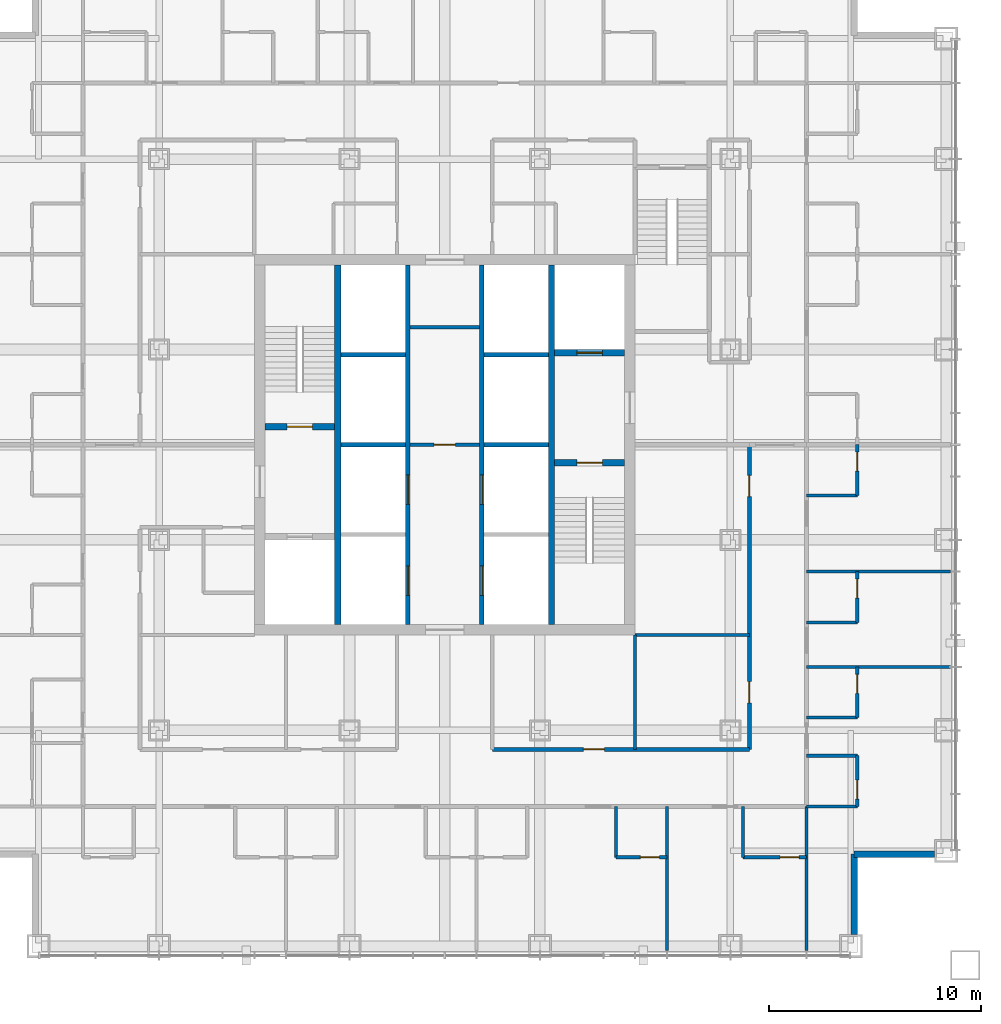
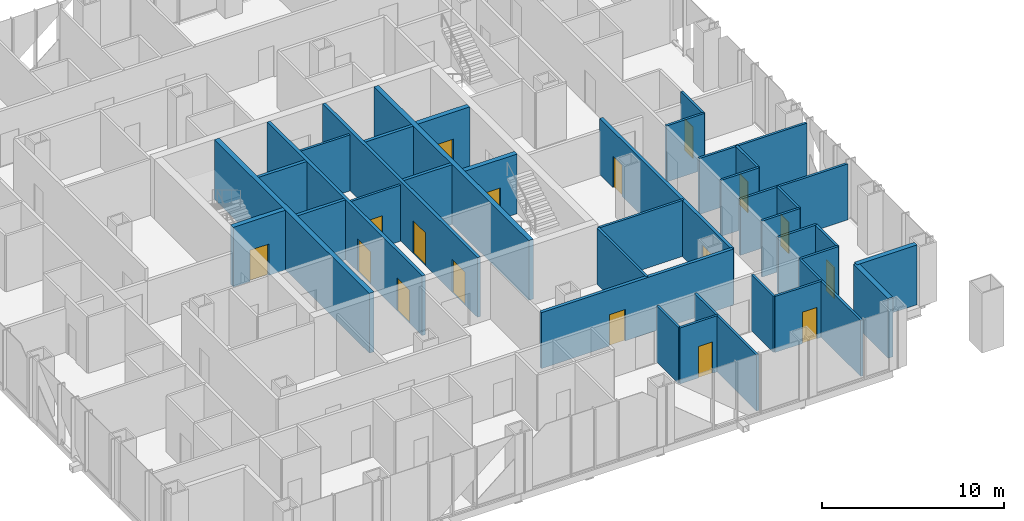
# One storey, part 10 of 18: 36 walls, 17 doors, 17 openings.
"""IFC4 building model written with IfcOpenShell, lengths in metres."""

from ifc_helpers import new_model, si_unit, direction, frame, frame_2d, origin, place, context, subcontext, project, spatial, rectangle, extrude, material, layer, layer_set, type_object, element, fill, save


model = new_model("IFC4")

# Units and contexts
model_context = context("Model", 3, precision=1e-05, world=origin(), true_north=direction((0.0, 1.0)))
body_context = subcontext(model_context, "Body", "Model", "MODEL_VIEW")
ifc_project = project(units=[si_unit("LENGTHUNIT", "METRE"), si_unit("AREAUNIT", "SQUARE_METRE"), si_unit("VOLUMEUNIT", "CUBIC_METRE"), si_unit("PLANEANGLEUNIT", "RADIAN"), si_unit("MASSUNIT", "GRAM", prefix="KILO")], contexts=[model_context])

# Site, building, storey
site_placement = place(None, origin())
site = spatial("IfcSite", under=ifc_project, at=site_placement, CompositionType="ELEMENT")
building_placement = place(site_placement, origin())
building = spatial("IfcBuilding", under=site, at=building_placement, Name="Malebo Sky Hospital", CompositionType="ELEMENT")
storey_placement = place(building_placement, frame((0.0, 0.0, 112.0)))
storey = spatial("IfcBuildingStorey", under=building, at=storey_placement, Name="L26", CompositionType="ELEMENT", Elevation=112.0)

# Wall, openings, doors
ifc_material_1 = material(Name="Concrete C80/95", Category="concrete")
ifc_layer_1 = layer(ifc_material_1, 0.199951171875)
ifc_layer_set_1 = layer_set([ifc_layer_1], Name="CORE INNER WALL 200")
wall_type_1 = type_object("IfcWallType", Name="CORE INNER WALL 200", PredefinedType="SHEAR", material=ifc_layer_set_1)
wall_1_placement = place(storey_placement, frame((58.25, 53.5, 0.0), z_axis=(0.0, 0.0, 1.0), x_axis=(0.0, 1.0, 0.0)))
wall_1 = element("IfcWall", 1, at=wall_1_placement, inside=storey, type_object=wall_type_1, Name="Core wall LW L26", PredefinedType="SHEAR", context=body_context, shape_type="SweptSolid", body=[
    extrude(rectangle(XDim=17.0, YDim=0.199951171875, at=frame_2d((8.5, 0.0))), origin(), (0.0, 0.0, 1.0), 4.0),
])
opening_1_placement = place(wall_1_placement, frame((1.375, 0.0, 0.0)))
opening_1 = element("IfcOpeningElement", 2, at=opening_1_placement, cuts=wall_1, Name="Opening LD1", PredefinedType="OPENING", context=body_context, shape_type="SweptSolid", body=[
    extrude(rectangle(XDim=1.39990234375, YDim=2.199951171875, at=frame_2d((0.699951171875, 1.10009765625))), frame((0.0, 0.10986328125, 0.0), z_axis=(0.0, -1.0, 0.0), x_axis=(1.0, 0.0, 0.0)), (0.0, 0.0, 1.0), 0.219970703125),
])
opening_2_placement = place(wall_1_placement, frame((5.675048828125, 0.0, 0.0)))
opening_2 = element("IfcOpeningElement", 3, at=opening_2_placement, cuts=wall_1, Name="Opening LD1", PredefinedType="OPENING", context=body_context, shape_type="SweptSolid", body=[
    extrude(rectangle(XDim=1.39990234375, YDim=2.199951171875, at=frame_2d((0.699951171875, 1.10009765625))), frame((0.0, 0.10986328125, 0.0), z_axis=(0.0, -1.0, 0.0), x_axis=(1.0, 0.0, 0.0)), (0.0, 0.0, 1.0), 0.219970703125),
])
ifc_material_2 = material(Name="Stainless steel sliding landing door", Category="steel")
door_type_1 = type_object("IfcDoorType", Name="LIFT LANDING DOOR 1400", OperationType="SLIDING_TO_LEFT", PredefinedType="DOOR", material=ifc_material_2)
door_1_placement = place(opening_1_placement, origin())
door_1 = element("IfcDoor", 4, at=door_1_placement, inside=storey, type_object=door_type_1, Name="Lift W1 landing door", OperationType="SLIDING_TO_LEFT", OverallHeight=2.199951171875, OverallWidth=1.39990234375, PredefinedType="DOOR", context=body_context, shape_type="SweptSolid", body=[
    extrude(rectangle(XDim=1.39990234375, YDim=2.199951171875, at=frame_2d((0.699951171875, 1.10009765625))), frame((0.0, 0.02490234375, 0.0), z_axis=(0.0, -1.0, 0.0), x_axis=(1.0, 0.0, 0.0)), (0.0, 0.0, 1.0), 0.050048828125),
])
fill(opening_1, door_1)
door_2_placement = place(opening_2_placement, origin())
door_2 = element("IfcDoor", 5, at=door_2_placement, inside=storey, type_object=door_type_1, Name="Lift W2 landing door", OperationType="SLIDING_TO_LEFT", OverallHeight=2.199951171875, OverallWidth=1.39990234375, PredefinedType="DOOR", context=body_context, shape_type="SweptSolid", body=[
    extrude(rectangle(XDim=1.39990234375, YDim=2.199951171875, at=frame_2d((0.699951171875, 1.10009765625))), frame((0.0, 0.02490234375, 0.0), z_axis=(0.0, -1.0, 0.0), x_axis=(1.0, 0.0, 0.0)), (0.0, 0.0, 1.0), 0.050048828125),
])
fill(opening_2, door_2)

wall_2_placement = place(storey_placement, frame((61.75, 53.5, 0.0), z_axis=(0.0, 0.0, 1.0), x_axis=(0.0, 1.0, 0.0)))
wall_2 = element("IfcWall", 6, at=wall_2_placement, inside=storey, type_object=wall_type_1, Name="Core wall LE L26", PredefinedType="SHEAR", context=body_context, shape_type="SweptSolid", body=[
    extrude(rectangle(XDim=17.0, YDim=0.199951171875, at=frame_2d((8.5, 0.0))), origin(), (0.0, 0.0, 1.0), 4.0),
])
opening_3_placement = place(wall_2_placement, frame((1.375, 0.0, 0.0)))
opening_3 = element("IfcOpeningElement", 7, at=opening_3_placement, cuts=wall_2, Name="Opening LD1", PredefinedType="OPENING", context=body_context, shape_type="SweptSolid", body=[
    extrude(rectangle(XDim=1.39990234375, YDim=2.199951171875, at=frame_2d((0.699951171875, 1.10009765625))), frame((0.0, 0.10986328125, 0.0), z_axis=(0.0, -1.0, 0.0), x_axis=(1.0, 0.0, 0.0)), (0.0, 0.0, 1.0), 0.219970703125),
])
opening_4_placement = place(wall_2_placement, frame((5.675048828125, 0.0, 0.0)))
opening_4 = element("IfcOpeningElement", 8, at=opening_4_placement, cuts=wall_2, Name="Opening LD1", PredefinedType="OPENING", context=body_context, shape_type="SweptSolid", body=[
    extrude(rectangle(XDim=1.39990234375, YDim=2.199951171875, at=frame_2d((0.699951171875, 1.10009765625))), frame((0.0, 0.10986328125, 0.0), z_axis=(0.0, -1.0, 0.0), x_axis=(1.0, 0.0, 0.0)), (0.0, 0.0, 1.0), 0.219970703125),
])
door_3_placement = place(opening_3_placement, origin())
door_3 = element("IfcDoor", 9, at=door_3_placement, inside=storey, type_object=door_type_1, Name="Lift E1 landing door", OperationType="SLIDING_TO_LEFT", OverallHeight=2.199951171875, OverallWidth=1.39990234375, PredefinedType="DOOR", context=body_context, shape_type="SweptSolid", body=[
    extrude(rectangle(XDim=1.39990234375, YDim=2.199951171875, at=frame_2d((0.699951171875, 1.10009765625))), frame((0.0, 0.02490234375, 0.0), z_axis=(0.0, -1.0, 0.0), x_axis=(1.0, 0.0, 0.0)), (0.0, 0.0, 1.0), 0.050048828125),
])
fill(opening_3, door_3)
door_4_placement = place(opening_4_placement, origin())
door_4 = element("IfcDoor", 10, at=door_4_placement, inside=storey, type_object=door_type_1, Name="Lift E2 landing door", OperationType="SLIDING_TO_LEFT", OverallHeight=2.199951171875, OverallWidth=1.39990234375, PredefinedType="DOOR", context=body_context, shape_type="SweptSolid", body=[
    extrude(rectangle(XDim=1.39990234375, YDim=2.199951171875, at=frame_2d((0.699951171875, 1.10009765625))), frame((0.0, 0.02490234375, 0.0), z_axis=(0.0, -1.0, 0.0), x_axis=(1.0, 0.0, 0.0)), (0.0, 0.0, 1.0), 0.050048828125),
])
fill(opening_4, door_4)

# Walls
for number, where, z_axis, x_axis, name in (
    (11, (55.10009765625, 62.0, 0.0), (0.0, 0.0, 1.0), (1.0, 0.0, 0.0), "Core wall SW1 L26"),
    (12, (61.85009765625, 62.0, 0.0), (0.0, 0.0, 1.0), (1.0, 0.0, 0.0), "Core wall SE1 L26"),
    (13, (55.10009765625, 66.25, 0.0), (0.0, 0.0, 1.0), (1.0, 0.0, 0.0), "Core wall SW2 L26"),
    (14, (61.85009765625, 66.25, 0.0), (0.0, 0.0, 1.0), (1.0, 0.0, 0.0), "Core wall SE2 L26"),
):
    element("IfcWall", number, at=place(storey_placement, frame(where, z_axis=z_axis, x_axis=x_axis)), inside=storey, type_object=wall_type_1, Name=name, PredefinedType="SHEAR", context=body_context, shape_type="SweptSolid", body=[
        extrude(rectangle(XDim=3.0498046875, YDim=0.199951171875, at=frame_2d((1.52490234375, 0.0))), origin(), (0.0, 0.0, 1.0), 4.0),
    ])
ifc_layer_2 = layer(ifc_material_1, 0.300048828125)
ifc_layer_set_2 = layer_set([ifc_layer_2], Name="CORE INNER WALL 300")
wall_type_2 = type_object("IfcWallType", Name="CORE INNER WALL 300", PredefinedType="SHEAR", material=ifc_layer_set_2)
for number, where, z_axis, x_axis, name in (
    (15, (54.949951171875, 53.5, 0.0), (0.0, 0.0, 1.0), (0.0, 1.0, 0.0), "Core wall XW L26"),
    (16, (65.050048828125, 53.5, 0.0), (0.0, 0.0, 1.0), (0.0, 1.0, 0.0), "Core wall XE L26"),
):
    element("IfcWall", number, at=place(storey_placement, frame(where, z_axis=z_axis, x_axis=x_axis)), inside=storey, type_object=wall_type_2, Name=name, PredefinedType="SHEAR", context=body_context, shape_type="SweptSolid", body=[
        extrude(rectangle(XDim=17.0, YDim=0.300048828125, at=frame_2d((8.5, 0.0))), origin(), (0.0, 0.0, 1.0), 4.0),
    ])

# Wall, opening, door
wall_3_placement = place(storey_placement, frame((51.5, 62.85009765625, 0.0), z_axis=(0.0, 0.0, 1.0), x_axis=(1.0, 0.0, 0.0)))
wall_3 = element("IfcWall", 17, at=wall_3_placement, inside=storey, type_object=wall_type_2, Name="Core wall W1 L26", PredefinedType="SHEAR", context=body_context, shape_type="SweptSolid", body=[
    extrude(rectangle(XDim=3.300048828125, YDim=0.300048828125, at=frame_2d((1.64990234375, 0.0))), origin(), (0.0, 0.0, 1.0), 4.0),
])
opening_5_placement = place(wall_3_placement, frame((1.050048828125, 0.0, 0.0)))
opening_5 = element("IfcOpeningElement", 18, at=opening_5_placement, cuts=wall_3, Name="Opening D08", PredefinedType="OPENING", context=body_context, shape_type="SweptSolid", body=[
    extrude(rectangle(XDim=1.199951171875, YDim=2.10009765625, at=frame_2d((0.60009765625, 1.050048828125))), frame((0.0, 0.159912109375, 0.0), z_axis=(0.0, -1.0, 0.0), x_axis=(1.0, 0.0, 0.0)), (0.0, 0.0, 1.0), 0.320068359375),
])
ifc_material_3 = material(Name="Hardwood-faced door leaf in steel frame", Category="steel")
door_type_2 = type_object("IfcDoorType", Name="STAIR DOOR 1200", OperationType="SINGLE_SWING_LEFT", PredefinedType="DOOR", material=ifc_material_3)
door_5_placement = place(opening_5_placement, origin())
door_5 = element("IfcDoor", 19, at=door_5_placement, inside=storey, type_object=door_type_2, Name="Stair S1 door", OperationType="SINGLE_SWING_LEFT", OverallHeight=2.10009765625, OverallWidth=1.199951171875, PredefinedType="DOOR", context=body_context, shape_type="SweptSolid", body=[
    extrude(rectangle(XDim=1.199951171875, YDim=2.10009765625, at=frame_2d((0.60009765625, 1.050048828125))), frame((0.0, 0.02490234375, 0.0), z_axis=(0.0, -1.0, 0.0), x_axis=(1.0, 0.0, 0.0)), (0.0, 0.0, 1.0), 0.050048828125),
])
fill(opening_5, door_5)

wall_4_placement = place(storey_placement, frame((65.199951171875, 61.14990234375, 0.0), z_axis=(0.0, 0.0, 1.0), x_axis=(1.0, 0.0, 0.0)))
wall_4 = element("IfcWall", 20, at=wall_4_placement, inside=storey, type_object=wall_type_2, Name="Core wall E1 L26", PredefinedType="SHEAR", context=body_context, shape_type="SweptSolid", body=[
    extrude(rectangle(XDim=3.300048828125, YDim=0.300048828125, at=frame_2d((1.64990234375, 0.0))), origin(), (0.0, 0.0, 1.0), 4.0),
])
opening_6_placement = place(wall_4_placement, frame((1.050048828125, 0.0, 0.0)))
opening_6 = element("IfcOpeningElement", 21, at=opening_6_placement, cuts=wall_4, Name="Opening D08", PredefinedType="OPENING", context=body_context, shape_type="SweptSolid", body=[
    extrude(rectangle(XDim=1.199951171875, YDim=2.10009765625, at=frame_2d((0.60009765625, 1.050048828125))), frame((0.0, 0.159912109375, 0.0), z_axis=(0.0, -1.0, 0.0), x_axis=(1.0, 0.0, 0.0)), (0.0, 0.0, 1.0), 0.320068359375),
])
door_6_placement = place(opening_6_placement, origin())
door_6 = element("IfcDoor", 22, at=door_6_placement, inside=storey, type_object=door_type_2, Name="Stair S2 door", OperationType="SINGLE_SWING_LEFT", OverallHeight=2.10009765625, OverallWidth=1.199951171875, PredefinedType="DOOR", context=body_context, shape_type="SweptSolid", body=[
    extrude(rectangle(XDim=1.199951171875, YDim=2.10009765625, at=frame_2d((0.60009765625, 1.050048828125))), frame((0.0, 0.02490234375, 0.0), z_axis=(0.0, -1.0, 0.0), x_axis=(1.0, 0.0, 0.0)), (0.0, 0.0, 1.0), 0.050048828125),
])
fill(opening_6, door_6)

wall_5_placement = place(storey_placement, frame((65.199951171875, 66.35009765625, 0.0), z_axis=(0.0, 0.0, 1.0), x_axis=(1.0, 0.0, 0.0)))
wall_5 = element("IfcWall", 23, at=wall_5_placement, inside=storey, type_object=wall_type_2, Name="Core wall E2 L26", PredefinedType="SHEAR", context=body_context, shape_type="SweptSolid", body=[
    extrude(rectangle(XDim=3.300048828125, YDim=0.300048828125, at=frame_2d((1.64990234375, 0.0))), origin(), (0.0, 0.0, 1.0), 4.0),
])
opening_7_placement = place(wall_5_placement, frame((1.050048828125, 0.0, 0.0)))
opening_7 = element("IfcOpeningElement", 24, at=opening_7_placement, cuts=wall_5, Name="Opening LD2", PredefinedType="OPENING", context=body_context, shape_type="SweptSolid", body=[
    extrude(rectangle(XDim=1.199951171875, YDim=2.199951171875, at=frame_2d((0.60009765625, 1.10009765625))), frame((0.0, 0.159912109375, 0.0), z_axis=(0.0, -1.0, 0.0), x_axis=(1.0, 0.0, 0.0)), (0.0, 0.0, 1.0), 0.320068359375),
])
door_type_3 = type_object("IfcDoorType", Name="FIRE-FIGHTING LIFT LANDING DOOR 1200", OperationType="SLIDING_TO_LEFT", PredefinedType="DOOR", material=ifc_material_2)
door_7_placement = place(opening_7_placement, origin())
door_7 = element("IfcDoor", 25, at=door_7_placement, inside=storey, type_object=door_type_3, Name="Lift FL2 landing door", OperationType="SLIDING_TO_LEFT", OverallHeight=2.199951171875, OverallWidth=1.199951171875, PredefinedType="DOOR", context=body_context, shape_type="SweptSolid", body=[
    extrude(rectangle(XDim=1.199951171875, YDim=2.199951171875, at=frame_2d((0.60009765625, 1.10009765625))), frame((0.0, 0.02490234375, 0.0), z_axis=(0.0, -1.0, 0.0), x_axis=(1.0, 0.0, 0.0)), (0.0, 0.0, 1.0), 0.050048828125),
])
fill(opening_7, door_7)

ifc_material_4 = material(Name="Gypsum board on steel studs", Category="steel")
ifc_layer_3 = layer(ifc_material_4, 0.199951171875)
ifc_layer_set_3 = layer_set([ifc_layer_3], Name="CORRIDOR WALL 200")
wall_type_3 = type_object("IfcWallType", Name="CORRIDOR WALL 200", PredefinedType="PARTITIONING", material=ifc_layer_set_3)
wall_6_placement = place(storey_placement, frame((74.39990234375, 47.60009765625, 0.0), z_axis=(0.0, 0.0, 1.0), x_axis=(-1.0, 0.0, 0.0)))
wall_6 = element("IfcWall", 26, at=wall_6_placement, inside=storey, type_object=wall_type_3, Name="Corridor Wall 200 SCI1", PredefinedType="PARTITIONING", context=body_context, shape_type="SweptSolid", body=[
    extrude(rectangle(XDim=12.14990234375, YDim=0.199951171875, at=frame_2d((6.074951171875, 0.0))), origin(), (0.0, 0.0, 1.0), 3.75),
])
opening_8_placement = place(wall_6_placement, frame((6.85009765625, 0.0, 0.0)))
opening_8 = element("IfcOpeningElement", 27, at=opening_8_placement, cuts=wall_6, Name="Opening D03", PredefinedType="OPENING", context=body_context, shape_type="SweptSolid", body=[
    extrude(rectangle(XDim=1.0, YDim=2.10009765625, at=frame_2d((0.5, 1.050048828125))), frame((0.0, 0.10986328125, 0.0), z_axis=(0.0, -1.0, 0.0), x_axis=(1.0, 0.0, 0.0)), (0.0, 0.0, 1.0), 0.219970703125),
])
door_type_4 = type_object("IfcDoorType", Name="ROOM DOOR 1000", OperationType="SINGLE_SWING_LEFT", PredefinedType="DOOR", material=ifc_material_3)
door_8_placement = place(opening_8_placement, origin())
door_8 = element("IfcDoor", 28, at=door_8_placement, inside=storey, type_object=door_type_4, Name="Ward pantry door", OperationType="SINGLE_SWING_LEFT", OverallHeight=2.10009765625, OverallWidth=1.0, PredefinedType="DOOR", context=body_context, shape_type="SweptSolid", body=[
    extrude(rectangle(XDim=1.0, YDim=2.10009765625, at=frame_2d((0.5, 1.050048828125))), frame((0.0, 0.02490234375, 0.0), z_axis=(0.0, -1.0, 0.0), x_axis=(1.0, 0.0, 0.0)), (0.0, 0.0, 1.0), 0.050048828125),
])
fill(opening_8, door_8)

# Wall, openings, doors
wall_7_placement = place(storey_placement, frame((74.39990234375, 62.0, 0.0), z_axis=(0.0, 0.0, 1.0), x_axis=(0.0, -1.0, 0.0)))
wall_7 = element("IfcWall", 29, at=wall_7_placement, inside=storey, type_object=wall_type_3, Name="Corridor Wall 200 ECI2", PredefinedType="PARTITIONING", context=body_context, shape_type="SweptSolid", body=[
    extrude(rectangle(XDim=14.39990234375, YDim=0.199951171875, at=frame_2d((7.199951171875, 0.0))), origin(), (0.0, 0.0, 1.0), 3.75),
])
opening_9_placement = place(wall_7_placement, frame((1.449951171875, 0.0, 0.0)))
opening_9 = element("IfcOpeningElement", 30, at=opening_9_placement, cuts=wall_7, Name="Opening D03", PredefinedType="OPENING", context=body_context, shape_type="SweptSolid", body=[
    extrude(rectangle(XDim=1.0, YDim=2.10009765625, at=frame_2d((0.5, 1.050048828125))), frame((0.0, 0.10986328125, 0.0), z_axis=(0.0, -1.0, 0.0), x_axis=(1.0, 0.0, 0.0)), (0.0, 0.0, 1.0), 0.219970703125),
])
opening_10_placement = place(wall_7_placement, frame((11.199951171875, 0.0, 0.0)))
opening_10 = element("IfcOpeningElement", 31, at=opening_10_placement, cuts=wall_7, Name="Opening D03", PredefinedType="OPENING", context=body_context, shape_type="SweptSolid", body=[
    extrude(rectangle(XDim=1.0, YDim=2.10009765625, at=frame_2d((0.5, 1.050048828125))), frame((0.0, 0.10986328125, 0.0), z_axis=(0.0, -1.0, 0.0), x_axis=(1.0, 0.0, 0.0)), (0.0, 0.0, 1.0), 0.219970703125),
])
door_9_placement = place(opening_9_placement, origin())
door_9 = element("IfcDoor", 32, at=door_9_placement, inside=storey, type_object=door_type_4, Name="Staff rest room door", OperationType="SINGLE_SWING_LEFT", OverallHeight=2.10009765625, OverallWidth=1.0, PredefinedType="DOOR", context=body_context, shape_type="SweptSolid", body=[
    extrude(rectangle(XDim=1.0, YDim=2.10009765625, at=frame_2d((0.5, 1.050048828125))), frame((0.0, 0.02490234375, 0.0), z_axis=(0.0, -1.0, 0.0), x_axis=(1.0, 0.0, 0.0)), (0.0, 0.0, 1.0), 0.050048828125),
])
fill(opening_9, door_9)
door_10_placement = place(opening_10_placement, origin())
door_10 = element("IfcDoor", 33, at=door_10_placement, inside=storey, type_object=door_type_4, Name="Dirty utility room door", OperationType="SINGLE_SWING_RIGHT", OverallHeight=2.10009765625, OverallWidth=1.0, PredefinedType="DOOR", context=body_context, shape_type="SweptSolid", body=[
    extrude(rectangle(XDim=1.0, YDim=2.10009765625, at=frame_2d((0.5, 1.050048828125))), frame((0.0, 0.02490234375, 0.0), z_axis=(0.0, -1.0, 0.0), x_axis=(1.0, 0.0, 0.0)), (0.0, 0.0, 1.0), 0.050048828125),
])
fill(opening_10, door_10)

# Walls
ifc_material_5 = material(Name="Anodised aluminium rainscreen on steel framing", Category="steel")
ifc_layer_4 = layer(ifc_material_5, 0.300048828125)
ifc_layer_set_4 = layer_set([ifc_layer_4], Name="NOTCH RAINSCREEN WALL 300")
wall_type_4 = type_object("IfcWallType", Name="NOTCH RAINSCREEN WALL 300", PredefinedType="ELEMENTEDWALL", material=ifc_layer_set_4)
for number, where, z_axis, x_axis, name in (
    (34, (83.14990234375, 42.64990234375, 0.0), (0.0, 0.0, 1.0), (-1.0, 0.0, 0.0), "Notch rainscreen wall E1 L26"),
    (35, (79.35009765625, 42.64990234375, 0.0), (0.0, 0.0, 1.0), (0.0, -1.0, 0.0), "Notch rainscreen wall E2 L26"),
):
    element("IfcWall", number, at=place(storey_placement, frame(where, z_axis=z_axis, x_axis=x_axis)), inside=storey, type_object=wall_type_4, Name=name, PredefinedType="ELEMENTEDWALL", context=body_context, shape_type="SweptSolid", body=[
        extrude(rectangle(XDim=3.7998046875, YDim=0.300048828125, at=frame_2d((1.89990234375, 0.0))), origin(), (0.0, 0.0, 1.0), 4.0),
    ])
ifc_layer_5 = layer(ifc_material_4, 0.14990234375)
ifc_layer_set_5 = layer_set([ifc_layer_5], Name="PARTITION 150")
wall_type_5 = type_object("IfcWallType", Name="PARTITION 150", PredefinedType="PARTITIONING", material=ifc_layer_set_5)
for number, where, z_axis, x_axis, name in (
    (36, (70.5, 44.89990234375, 0.0), (0.0, 0.0, 1.0), (0.0, -1.0, 0.0), "Partition 150 SP-10.5"),
    (37, (77.10009765625, 44.89990234375, 0.0), (0.0, 0.0, 1.0), (0.0, -1.0, 0.0), "Partition 150 SP0"),
):
    element("IfcWall", number, at=place(storey_placement, frame(where, z_axis=z_axis, x_axis=x_axis)), inside=storey, type_object=wall_type_5, Name=name, PredefinedType="PARTITIONING", context=body_context, shape_type="SweptSolid", body=[
        extrude(rectangle(XDim=6.809814453125, YDim=0.14990234375, at=frame_2d((3.40478515625, 0.0))), origin(), (0.0, 0.0, 1.0), 3.75),
    ])

# Wall, opening, door
wall_8_placement = place(storey_placement, frame((77.10009765625, 42.5, 0.0), z_axis=(0.0, 0.0, 1.0), x_axis=(-1.0, 0.0, 0.0)))
wall_8 = element("IfcWall", 38, at=wall_8_placement, inside=storey, type_object=wall_type_5, Name="Partition 150 SE0F", PredefinedType="PARTITIONING", context=body_context, shape_type="SweptSolid", body=[
    extrude(rectangle(XDim=3.0, YDim=0.14990234375, at=frame_2d((1.5, 0.0))), origin(), (0.0, 0.0, 1.0), 3.75),
])
opening_11_placement = place(wall_8_placement, frame((0.35009765625, 0.0, 0.0)))
opening_11 = element("IfcOpeningElement", 39, at=opening_11_placement, cuts=wall_8, Name="Opening D02", PredefinedType="OPENING", context=body_context, shape_type="SweptSolid", body=[
    extrude(rectangle(XDim=0.89990234375, YDim=2.10009765625, at=frame_2d((0.449951171875, 1.050048828125))), frame((0.0, 0.0849609375, 0.0), z_axis=(0.0, -1.0, 0.0), x_axis=(1.0, 0.0, 0.0)), (0.0, 0.0, 1.0), 0.169921875),
])
door_type_5 = type_object("IfcDoorType", Name="EN-SUITE DOOR 900", OperationType="SINGLE_SWING_LEFT", PredefinedType="DOOR", material=ifc_material_3)
door_11_placement = place(opening_11_placement, origin())
door_11 = element("IfcDoor", 40, at=door_11_placement, inside=storey, type_object=door_type_5, Name="En-suite door", OperationType="SINGLE_SWING_LEFT", OverallHeight=2.10009765625, OverallWidth=0.89990234375, PredefinedType="DOOR", context=body_context, shape_type="SweptSolid", body=[
    extrude(rectangle(XDim=0.89990234375, YDim=2.10009765625, at=frame_2d((0.449951171875, 1.050048828125))), frame((0.0, 0.02490234375, 0.0), z_axis=(0.0, -1.0, 0.0), x_axis=(1.0, 0.0, 0.0)), (0.0, 0.0, 1.0), 0.050048828125),
])
fill(opening_11, door_11)

# Wall
wall_9_placement = place(storey_placement, frame((74.10009765625, 44.89990234375, 0.0), z_axis=(0.0, 0.0, 1.0), x_axis=(0.0, -1.0, 0.0)))
element("IfcWall", 41, at=wall_9_placement, inside=storey, type_object=wall_type_5, Name="Partition 150 SE0S", PredefinedType="PARTITIONING", context=body_context, shape_type="SweptSolid", body=[
    extrude(rectangle(XDim=2.39990234375, YDim=0.14990234375, at=frame_2d((1.199951171875, 0.0))), origin(), (0.0, 0.0, 1.0), 3.75),
])

# Wall, opening, door
wall_10_placement = place(storey_placement, frame((70.5, 42.5, 0.0), z_axis=(0.0, 0.0, 1.0), x_axis=(-1.0, 0.0, 0.0)))
wall_10 = element("IfcWall", 42, at=wall_10_placement, inside=storey, type_object=wall_type_5, Name="Partition 150 SE1F", PredefinedType="PARTITIONING", context=body_context, shape_type="SweptSolid", body=[
    extrude(rectangle(XDim=2.39990234375, YDim=0.14990234375, at=frame_2d((1.199951171875, 0.0))), origin(), (0.0, 0.0, 1.0), 3.75),
])
opening_12_placement = place(wall_10_placement, frame((0.35009765625, 0.0, 0.0)))
opening_12 = element("IfcOpeningElement", 43, at=opening_12_placement, cuts=wall_10, Name="Opening D02", PredefinedType="OPENING", context=body_context, shape_type="SweptSolid", body=[
    extrude(rectangle(XDim=0.89990234375, YDim=2.10009765625, at=frame_2d((0.449951171875, 1.050048828125))), frame((0.0, 0.0849609375, 0.0), z_axis=(0.0, -1.0, 0.0), x_axis=(1.0, 0.0, 0.0)), (0.0, 0.0, 1.0), 0.169921875),
])
door_12_placement = place(opening_12_placement, origin())
door_12 = element("IfcDoor", 44, at=door_12_placement, inside=storey, type_object=door_type_5, Name="En-suite door", OperationType="SINGLE_SWING_LEFT", OverallHeight=2.10009765625, OverallWidth=0.89990234375, PredefinedType="DOOR", context=body_context, shape_type="SweptSolid", body=[
    extrude(rectangle(XDim=0.89990234375, YDim=2.10009765625, at=frame_2d((0.449951171875, 1.050048828125))), frame((0.0, 0.02490234375, 0.0), z_axis=(0.0, -1.0, 0.0), x_axis=(1.0, 0.0, 0.0)), (0.0, 0.0, 1.0), 0.050048828125),
])
fill(opening_12, door_12)

# Walls
wall_11_placement = place(storey_placement, frame((68.10009765625, 44.89990234375, 0.0), z_axis=(0.0, 0.0, 1.0), x_axis=(0.0, -1.0, 0.0)))
element("IfcWall", 45, at=wall_11_placement, inside=storey, type_object=wall_type_5, Name="Partition 150 SE1S", PredefinedType="PARTITIONING", context=body_context, shape_type="SweptSolid", body=[
    extrude(rectangle(XDim=2.39990234375, YDim=0.14990234375, at=frame_2d((1.199951171875, 0.0))), origin(), (0.0, 0.0, 1.0), 3.75),
])
wall_12_placement = place(storey_placement, frame((69.0, 53.0, 0.0), z_axis=(0.0, 0.0, 1.0), x_axis=(0.0, -1.0, 0.0)))
element("IfcWall", 46, at=wall_12_placement, inside=storey, type_object=wall_type_5, Name="Partition 150 SSP0", PredefinedType="PARTITIONING", context=body_context, shape_type="SweptSolid", body=[
    extrude(rectangle(XDim=5.39990234375, YDim=0.14990234375, at=frame_2d((2.699951171875, 0.0))), origin(), (0.0, 0.0, 1.0), 3.75),
])
for number, where, z_axis, x_axis, name in (
    (47, (77.10009765625, 56.0, 0.0), (0.0, 0.0, 1.0), (1.0, 0.0, 0.0), "Partition 150 EP+6.0"),
    (48, (77.10009765625, 51.5, 0.0), (0.0, 0.0, 1.0), (1.0, 0.0, 0.0), "Partition 150 EP+10.5"),
):
    element("IfcWall", number, at=place(storey_placement, frame(where, z_axis=z_axis, x_axis=x_axis)), inside=storey, type_object=wall_type_5, Name=name, PredefinedType="PARTITIONING", context=body_context, shape_type="SweptSolid", body=[
        extrude(rectangle(XDim=6.809814453125, YDim=0.14990234375, at=frame_2d((3.40478515625, 0.0))), origin(), (0.0, 0.0, 1.0), 3.75),
    ])

# Wall, opening, door
wall_13_placement = place(storey_placement, frame((79.5, 62.0, 0.0), z_axis=(0.0, 0.0, 1.0), x_axis=(0.0, -1.0, 0.0)))
wall_13 = element("IfcWall", 49, at=wall_13_placement, inside=storey, type_object=wall_type_5, Name="Partition 150 EE2F", PredefinedType="PARTITIONING", context=body_context, shape_type="SweptSolid", body=[
    extrude(rectangle(XDim=2.39990234375, YDim=0.14990234375, at=frame_2d((1.199951171875, 0.0))), origin(), (0.0, 0.0, 1.0), 3.75),
])
opening_13_placement = place(wall_13_placement, frame((0.35009765625, 0.0, 0.0)))
opening_13 = element("IfcOpeningElement", 50, at=opening_13_placement, cuts=wall_13, Name="Opening D02", PredefinedType="OPENING", context=body_context, shape_type="SweptSolid", body=[
    extrude(rectangle(XDim=0.89990234375, YDim=2.10009765625, at=frame_2d((0.449951171875, 1.050048828125))), frame((0.0, 0.0849609375, 0.0), z_axis=(0.0, -1.0, 0.0), x_axis=(1.0, 0.0, 0.0)), (0.0, 0.0, 1.0), 0.169921875),
])
door_13_placement = place(opening_13_placement, origin())
door_13 = element("IfcDoor", 51, at=door_13_placement, inside=storey, type_object=door_type_5, Name="En-suite door", OperationType="SINGLE_SWING_LEFT", OverallHeight=2.10009765625, OverallWidth=0.89990234375, PredefinedType="DOOR", context=body_context, shape_type="SweptSolid", body=[
    extrude(rectangle(XDim=0.89990234375, YDim=2.10009765625, at=frame_2d((0.449951171875, 1.050048828125))), frame((0.0, 0.02490234375, 0.0), z_axis=(0.0, -1.0, 0.0), x_axis=(1.0, 0.0, 0.0)), (0.0, 0.0, 1.0), 0.050048828125),
])
fill(opening_13, door_13)

# Wall
wall_14_placement = place(storey_placement, frame((77.10009765625, 59.60009765625, 0.0), z_axis=(0.0, 0.0, 1.0), x_axis=(1.0, 0.0, 0.0)))
element("IfcWall", 52, at=wall_14_placement, inside=storey, type_object=wall_type_5, Name="Partition 150 EE2S", PredefinedType="PARTITIONING", context=body_context, shape_type="SweptSolid", body=[
    extrude(rectangle(XDim=2.39990234375, YDim=0.14990234375, at=frame_2d((1.199951171875, 0.0))), origin(), (0.0, 0.0, 1.0), 3.75),
])

# Wall, opening, door
wall_15_placement = place(storey_placement, frame((79.5, 56.0, 0.0), z_axis=(0.0, 0.0, 1.0), x_axis=(0.0, -1.0, 0.0)))
wall_15 = element("IfcWall", 53, at=wall_15_placement, inside=storey, type_object=wall_type_5, Name="Partition 150 EE3F", PredefinedType="PARTITIONING", context=body_context, shape_type="SweptSolid", body=[
    extrude(rectangle(XDim=2.39990234375, YDim=0.14990234375, at=frame_2d((1.199951171875, 0.0))), origin(), (0.0, 0.0, 1.0), 3.75),
])
opening_14_placement = place(wall_15_placement, frame((0.35009765625, 0.0, 0.0)))
opening_14 = element("IfcOpeningElement", 54, at=opening_14_placement, cuts=wall_15, Name="Opening D02", PredefinedType="OPENING", context=body_context, shape_type="SweptSolid", body=[
    extrude(rectangle(XDim=0.89990234375, YDim=2.10009765625, at=frame_2d((0.449951171875, 1.050048828125))), frame((0.0, 0.0849609375, 0.0), z_axis=(0.0, -1.0, 0.0), x_axis=(1.0, 0.0, 0.0)), (0.0, 0.0, 1.0), 0.169921875),
])
door_14_placement = place(opening_14_placement, origin())
door_14 = element("IfcDoor", 55, at=door_14_placement, inside=storey, type_object=door_type_5, Name="En-suite door", OperationType="SINGLE_SWING_LEFT", OverallHeight=2.10009765625, OverallWidth=0.89990234375, PredefinedType="DOOR", context=body_context, shape_type="SweptSolid", body=[
    extrude(rectangle(XDim=0.89990234375, YDim=2.10009765625, at=frame_2d((0.449951171875, 1.050048828125))), frame((0.0, 0.02490234375, 0.0), z_axis=(0.0, -1.0, 0.0), x_axis=(1.0, 0.0, 0.0)), (0.0, 0.0, 1.0), 0.050048828125),
])
fill(opening_14, door_14)

# Wall
wall_16_placement = place(storey_placement, frame((77.10009765625, 53.60009765625, 0.0), z_axis=(0.0, 0.0, 1.0), x_axis=(1.0, 0.0, 0.0)))
element("IfcWall", 56, at=wall_16_placement, inside=storey, type_object=wall_type_5, Name="Partition 150 EE3S", PredefinedType="PARTITIONING", context=body_context, shape_type="SweptSolid", body=[
    extrude(rectangle(XDim=2.39990234375, YDim=0.14990234375, at=frame_2d((1.199951171875, 0.0))), origin(), (0.0, 0.0, 1.0), 3.75),
])

# Wall, opening, door
wall_17_placement = place(storey_placement, frame((79.5, 51.5, 0.0), z_axis=(0.0, 0.0, 1.0), x_axis=(0.0, -1.0, 0.0)))
wall_17 = element("IfcWall", 57, at=wall_17_placement, inside=storey, type_object=wall_type_5, Name="Partition 150 EE4F", PredefinedType="PARTITIONING", context=body_context, shape_type="SweptSolid", body=[
    extrude(rectangle(XDim=2.39990234375, YDim=0.14990234375, at=frame_2d((1.199951171875, 0.0))), origin(), (0.0, 0.0, 1.0), 3.75),
])
opening_15_placement = place(wall_17_placement, frame((0.35009765625, 0.0, 0.0)))
opening_15 = element("IfcOpeningElement", 58, at=opening_15_placement, cuts=wall_17, Name="Opening D02", PredefinedType="OPENING", context=body_context, shape_type="SweptSolid", body=[
    extrude(rectangle(XDim=0.89990234375, YDim=2.10009765625, at=frame_2d((0.449951171875, 1.050048828125))), frame((0.0, 0.0849609375, 0.0), z_axis=(0.0, -1.0, 0.0), x_axis=(1.0, 0.0, 0.0)), (0.0, 0.0, 1.0), 0.169921875),
])
door_15_placement = place(opening_15_placement, origin())
door_15 = element("IfcDoor", 59, at=door_15_placement, inside=storey, type_object=door_type_5, Name="En-suite door", OperationType="SINGLE_SWING_LEFT", OverallHeight=2.10009765625, OverallWidth=0.89990234375, PredefinedType="DOOR", context=body_context, shape_type="SweptSolid", body=[
    extrude(rectangle(XDim=0.89990234375, YDim=2.10009765625, at=frame_2d((0.449951171875, 1.050048828125))), frame((0.0, 0.02490234375, 0.0), z_axis=(0.0, -1.0, 0.0), x_axis=(1.0, 0.0, 0.0)), (0.0, 0.0, 1.0), 0.050048828125),
])
fill(opening_15, door_15)

# Wall
wall_18_placement = place(storey_placement, frame((77.10009765625, 49.10009765625, 0.0), z_axis=(0.0, 0.0, 1.0), x_axis=(1.0, 0.0, 0.0)))
element("IfcWall", 60, at=wall_18_placement, inside=storey, type_object=wall_type_5, Name="Partition 150 EE4S", PredefinedType="PARTITIONING", context=body_context, shape_type="SweptSolid", body=[
    extrude(rectangle(XDim=2.39990234375, YDim=0.14990234375, at=frame_2d((1.199951171875, 0.0))), origin(), (0.0, 0.0, 1.0), 3.75),
])

# Wall, opening, door
wall_19_placement = place(storey_placement, frame((79.5, 47.300048828125, 0.0), z_axis=(0.0, 0.0, 1.0), x_axis=(0.0, -1.0, 0.0)))
wall_19 = element("IfcWall", 61, at=wall_19_placement, inside=storey, type_object=wall_type_5, Name="Partition 150 EG4F", PredefinedType="PARTITIONING", context=body_context, shape_type="SweptSolid", body=[
    extrude(rectangle(XDim=2.400146484375, YDim=0.14990234375, at=frame_2d((1.2001953125, 0.0))), origin(), (0.0, 0.0, 1.0), 3.75),
])
opening_16_placement = place(wall_19_placement, frame((1.14990234375, 0.0, 0.0)))
opening_16 = element("IfcOpeningElement", 62, at=opening_16_placement, cuts=wall_19, Name="Opening D02", PredefinedType="OPENING", context=body_context, shape_type="SweptSolid", body=[
    extrude(rectangle(XDim=0.89990234375, YDim=2.10009765625, at=frame_2d((0.449951171875, 1.050048828125))), frame((0.0, 0.0849609375, 0.0), z_axis=(0.0, -1.0, 0.0), x_axis=(1.0, 0.0, 0.0)), (0.0, 0.0, 1.0), 0.169921875),
])
door_16_placement = place(opening_16_placement, origin())
door_16 = element("IfcDoor", 63, at=door_16_placement, inside=storey, type_object=door_type_5, Name="En-suite door", OperationType="SINGLE_SWING_RIGHT", OverallHeight=2.10009765625, OverallWidth=0.89990234375, PredefinedType="DOOR", context=body_context, shape_type="SweptSolid", body=[
    extrude(rectangle(XDim=0.89990234375, YDim=2.10009765625, at=frame_2d((0.449951171875, 1.050048828125))), frame((0.0, 0.02490234375, 0.0), z_axis=(0.0, -1.0, 0.0), x_axis=(1.0, 0.0, 0.0)), (0.0, 0.0, 1.0), 0.050048828125),
])
fill(opening_16, door_16)

# Walls
for number, where, z_axis, x_axis, name in (
    (64, (77.10009765625, 47.300048828125, 0.0), (0.0, 0.0, 1.0), (1.0, 0.0, 0.0), "Partition 150 EG4S"),
    (65, (77.10009765625, 44.89990234375, 0.0), (0.0, 0.0, 1.0), (1.0, 0.0, 0.0), "Partition 150 EEZ"),
):
    element("IfcWall", number, at=place(storey_placement, frame(where, z_axis=z_axis, x_axis=x_axis)), inside=storey, type_object=wall_type_5, Name=name, PredefinedType="PARTITIONING", context=body_context, shape_type="SweptSolid", body=[
        extrude(rectangle(XDim=2.39990234375, YDim=0.14990234375, at=frame_2d((1.199951171875, 0.0))), origin(), (0.0, 0.0, 1.0), 3.75),
    ])
wall_20_placement = place(storey_placement, frame((69.0, 53.0, 0.0), z_axis=(0.0, 0.0, 1.0), x_axis=(1.0, 0.0, 0.0)))
element("IfcWall", 66, at=wall_20_placement, inside=storey, type_object=wall_type_5, Name="Partition 150 ESP+9.0", PredefinedType="PARTITIONING", context=body_context, shape_type="SweptSolid", body=[
    extrude(rectangle(XDim=5.39990234375, YDim=0.14990234375, at=frame_2d((2.699951171875, 0.0))), origin(), (0.0, 0.0, 1.0), 3.75),
])

# Wall, opening, door
wall_21_placement = place(storey_placement, frame((58.35009765625, 62.0, 0.0), z_axis=(0.0, 0.0, 1.0), x_axis=(1.0, 0.0, 0.0)))
wall_21 = element("IfcWall", 67, at=wall_21_placement, inside=storey, type_object=wall_type_5, Name="Partition 150 LBN", PredefinedType="PARTITIONING", context=body_context, shape_type="SweptSolid", body=[
    extrude(rectangle(XDim=3.2998046875, YDim=0.14990234375, at=frame_2d((1.64990234375, 0.0))), origin(), (0.0, 0.0, 1.0), 3.75),
])
opening_17_placement = place(wall_21_placement, frame((1.14990234375, 0.0, 0.0)))
opening_17 = element("IfcOpeningElement", 68, at=opening_17_placement, cuts=wall_21, Name="Opening D03", PredefinedType="OPENING", context=body_context, shape_type="SweptSolid", body=[
    extrude(rectangle(XDim=1.0, YDim=2.10009765625, at=frame_2d((0.5, 1.050048828125))), frame((0.0, 0.0849609375, 0.0), z_axis=(0.0, -1.0, 0.0), x_axis=(1.0, 0.0, 0.0)), (0.0, 0.0, 1.0), 0.169921875),
])
door_17_placement = place(opening_17_placement, origin())
door_17 = element("IfcDoor", 69, at=door_17_placement, inside=storey, type_object=door_type_4, Name="Housekeeping store door", OperationType="SINGLE_SWING_LEFT", OverallHeight=2.10009765625, OverallWidth=1.0, PredefinedType="DOOR", context=body_context, shape_type="SweptSolid", body=[
    extrude(rectangle(XDim=1.0, YDim=2.10009765625, at=frame_2d((0.5, 1.050048828125))), frame((0.0, 0.02490234375, 0.0), z_axis=(0.0, -1.0, 0.0), x_axis=(1.0, 0.0, 0.0)), (0.0, 0.0, 1.0), 0.050048828125),
])
fill(opening_17, door_17)

# Wall
wall_22_placement = place(storey_placement, frame((58.35009765625, 67.55126953125, 0.0), z_axis=(0.0, 0.0, 1.0), x_axis=(1.0, 0.0, 0.0)))
element("IfcWall", 70, at=wall_22_placement, inside=storey, type_object=wall_type_5, Name="Partition 150 LBN1", PredefinedType="PARTITIONING", context=body_context, shape_type="SweptSolid", body=[
    extrude(rectangle(XDim=3.2998046875, YDim=0.14990234375, at=frame_2d((1.64990234375, 0.0))), origin(), (0.0, 0.0, 1.0), 3.75),
])

save(model, "model.ifc")
